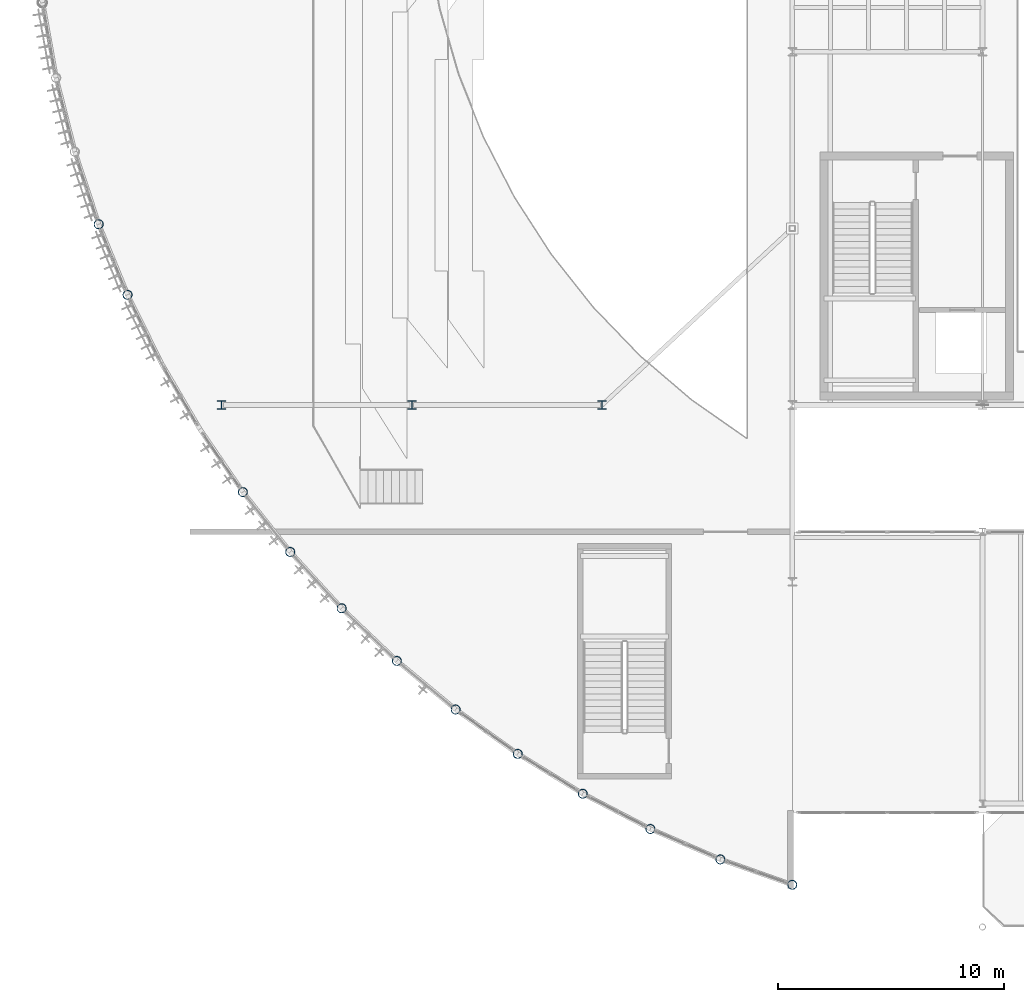
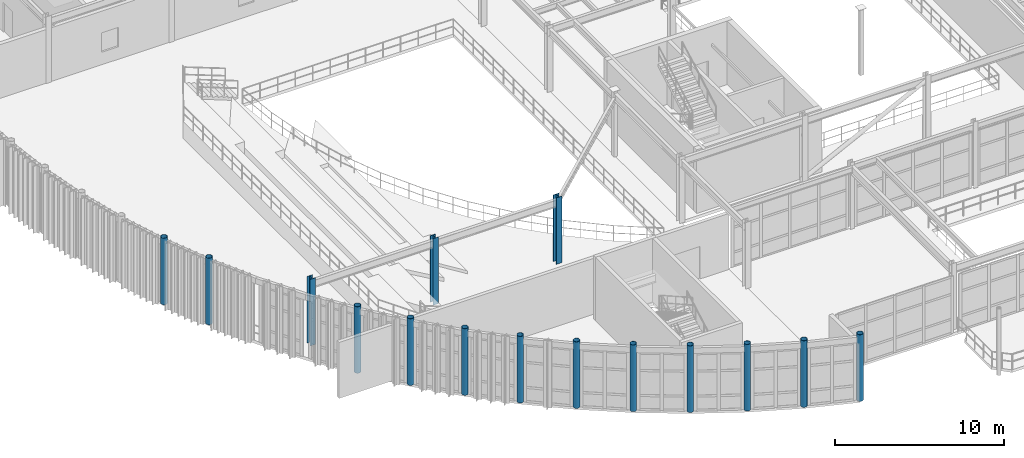
# One storey, part 1 of 116: 15 columns.
"""IFC4 building model written with IfcOpenShell, lengths in metres."""

import ifcopenshell
import ifcopenshell.guid

model = None  # the IFC model being written
_history = None  # IfcOwnerHistory: only IFC2X3 demands one
_inside = {}  # id of a spatial element -> (the spatial element, [elements in it])
_under = {}  # id of a project, library or spatial element -> (it, [spatial elements below it])
_declared = {}  # id of a project -> (the project, [libraries it declares])
_typed = {}  # id of a type object -> (the type object, [elements of that type])
_made_of = {}  # id of a material, layer set ... -> (it, [elements and type objects made of it])


def new_model(schema):
    """Start an empty IFC model of exactly this schema.

    Asked for "IFC4X3", IfcOpenShell would pick the latest addendum, in which some entities
    have other attributes; the version numbers below select the first issue.
    IFC2X3 requires an IfcOwnerHistory on every rooted entity: one is made here for all.
    """
    global model, _history
    if schema == "IFC4X3":
        model = ifcopenshell.file(schema_version=(4, 3, 0, 0))
    else:
        model = ifcopenshell.file(schema=schema)
    _inside.clear()
    _under.clear()
    _declared.clear()
    _typed.clear()
    _made_of.clear()
    _history = None
    if model.schema == "IFC2X3":
        org = make("IfcOrganization", Name="unknown")
        user = make(
            "IfcPersonAndOrganization",
            ThePerson=make("IfcPerson", FamilyName="unknown"),
            TheOrganization=org,
        )
        app = make(
            "IfcApplication",
            ApplicationDeveloper=org,
            Version="unknown",
            ApplicationFullName="unknown",
            ApplicationIdentifier="unknown",
        )
        _history = make(
            "IfcOwnerHistory",
            OwningUser=user,
            OwningApplication=app,
            ChangeAction="ADDED",
            CreationDate=0,
        )
    return model


def make(cls, **values):
    """One entity of the class cls with the attributes given. An attribute that is None is left unset."""
    return model.create_entity(
        cls, **{name: value for name, value in values.items() if value is not None}
    )


def rooted(cls, **values):
    """An entity with a GlobalId (a new one), such as an element, a storey or a relation."""
    return make(cls, GlobalId=ifcopenshell.guid.new(), OwnerHistory=_history, **values)


def si_unit(unit_type, name, prefix=None):
    """IfcSIUnit, for example si_unit("LENGTHUNIT", "METRE", prefix="MILLI")."""
    return make("IfcSIUnit", UnitType=unit_type, Prefix=prefix, Name=name)


def assignment(units):
    """IfcUnitAssignment: the units of a project."""
    return None if units is None else make("IfcUnitAssignment", Units=units)


def point(xyz):
    """IfcCartesianPoint."""
    return None if xyz is None else make("IfcCartesianPoint", Coordinates=xyz)


def direction(xyz):
    """IfcDirection."""
    return None if xyz is None else make("IfcDirection", DirectionRatios=xyz)


def frame(location, z_axis=None, x_axis=None):
    """IfcAxis2Placement3D, a coordinate frame: its origin and axes. An axis left out is left unset."""
    return make(
        "IfcAxis2Placement3D",
        Location=point(location),
        Axis=direction(z_axis),
        RefDirection=direction(x_axis),
    )


def frame_2d(location, x_axis=None):
    """IfcAxis2Placement2D, a coordinate frame in the plane: its origin and x axis."""
    return make(
        "IfcAxis2Placement2D", Location=point(location), RefDirection=direction(x_axis)
    )


def origin():
    """The frame at (0, 0, 0) with its axes left unset."""
    return frame((0.0, 0.0, 0.0))


def origin_2d():
    """The frame at (0, 0) in the plane with its x axis left unset."""
    return frame_2d((0.0, 0.0))


def place(relative_to, where):
    """IfcLocalPlacement: puts the frame where relative to a parent placement (None: the world)."""
    return make(
        "IfcLocalPlacement", PlacementRelTo=relative_to, RelativePlacement=where
    )


def context(
    kind, dimensions, precision=None, world=None, true_north=None, identifier=None
):
    """IfcGeometricRepresentationContext, for example the 3D "Model" context."""
    return make(
        "IfcGeometricRepresentationContext",
        ContextIdentifier=identifier,
        ContextType=kind,
        CoordinateSpaceDimension=dimensions,
        Precision=precision,
        WorldCoordinateSystem=world,
        TrueNorth=true_north,
    )


def subcontext(parent, identifier, kind, view, scale=None):
    """IfcGeometricRepresentationSubContext, for example "Body" below "Model"."""
    return make(
        "IfcGeometricRepresentationSubContext",
        ContextIdentifier=identifier,
        ContextType=kind,
        ParentContext=parent,
        TargetScale=scale,
        TargetView=view,
    )


def project(units=None, contexts=None):
    """IfcProject with its units and contexts."""
    return rooted(
        "IfcProject",
        Name="project",
        RepresentationContexts=contexts,
        UnitsInContext=assignment(units),
    )


def spatial(cls, under=None, at=None, **own):
    """A site, building, storey or space (cls), placed at a placement, below another one or the project."""
    s = rooted(cls, ObjectPlacement=at, **own)
    if under is not None:
        _under.setdefault(under.id(), (under, []))[1].append(s)
    return s


def profile(cls, at=None, kind="AREA", **sizes):
    """A parametric profile (cls). Its sizes go by their IFC names, for example OverallWidth=200.0."""
    return make(cls, ProfileType=kind, Position=at, **sizes)


def hollow_circle(**sizes):
    """IfcCircleHollowProfileDef."""
    return profile("IfcCircleHollowProfileDef", **sizes)


def i_section(**sizes):
    """IfcIShapeProfileDef."""
    return profile("IfcIShapeProfileDef", **sizes)


def extrude(swept, where, along, depth):
    """IfcExtrudedAreaSolid: the profile swept, set in the frame where, extruded along a direction by depth."""
    return make(
        "IfcExtrudedAreaSolid",
        SweptArea=swept,
        Position=where,
        ExtrudedDirection=direction(along),
        Depth=depth,
    )


def shape(context_of_items, identifier, shape_type, items):
    """IfcShapeRepresentation: the items that make up one representation, for example the "Body"."""
    return make(
        "IfcShapeRepresentation",
        ContextOfItems=context_of_items,
        RepresentationIdentifier=identifier,
        RepresentationType=shape_type,
        Items=items,
    )


def material(Name=None, Category=None):
    """IfcMaterial."""
    return make("IfcMaterial", Name=Name, Category=Category)


def material_profile(
    of_material, cross_section, Name=None, Category=None, Priority=None
):
    """IfcMaterialProfile: a cross section and its material."""
    return make(
        "IfcMaterialProfile",
        Name=Name,
        Material=of_material,
        Profile=cross_section,
        Priority=Priority,
        Category=Category,
    )


def profile_set(profiles, Name=None, composite=None):
    """IfcMaterialProfileSet."""
    return make(
        "IfcMaterialProfileSet",
        Name=Name,
        MaterialProfiles=profiles,
        CompositeProfile=composite,
    )


def made_of(thing, what):
    """Note that an element or type object is made of a material, layer set ...; save() writes the relation."""
    if what is not None:
        _made_of.setdefault(what.id(), (what, []))[1].append(thing)
    return thing


def type_object(cls, material=None, **own):
    """A type object (cls), such as IfcWallType, which elements share."""
    return made_of(rooted(cls, **own), material)


def element(
    cls,
    number,
    at=None,
    inside=None,
    cuts=None,
    type_object=None,
    material=None,
    context=None,
    identifier="Body",
    shape_type=None,
    held_by="IfcProductDefinitionShape",
    body=None,
    shapes=None,
    **own,
):
    """One element of the class cls, such as IfcWall. Its Tag is "e" and its number.

    at: its placement. inside: the storey or other place that contains it. cuts: it is an
    opening in that element (IfcRelVoidsElement). A single representation is given by context,
    identifier, shape_type and body (its items); several are given by shapes. held_by: the class
    of the entity that holds the representations. save() writes the other relations.
    """
    e = rooted(cls, Tag="e%d" % number, ObjectPlacement=at, **own)
    if body is not None:
        shapes = [shape(context, identifier, shape_type, body)]
    if shapes is not None:
        e.Representation = make(held_by, Representations=shapes)
    if inside is not None:
        _inside.setdefault(inside.id(), (inside, []))[1].append(e)
    if cuts is not None:
        rooted(
            "IfcRelVoidsElement", RelatingBuildingElement=cuts, RelatedOpeningElement=e
        )
    if type_object is not None:
        _typed.setdefault(type_object.id(), (type_object, []))[1].append(e)
    return made_of(e, material)


def aggregate(whole, parts):
    """IfcRelAggregates: a whole, such as a stair, and the parts it consists of."""
    return rooted("IfcRelAggregates", RelatingObject=whole, RelatedObjects=parts)


def save(model, path):
    """Write the relations noted so far, then the file.

    IfcRelAggregates (storeys below a building ...), IfcRelContainedInSpatialStructure (elements
    in a storey), IfcRelDefinesByType, IfcRelAssociatesMaterial and IfcRelDeclares: one each for
    every whole, place, type object, material and project.
    """
    for whole, parts in _under.values():
        aggregate(whole, parts)
    for where, things in _inside.values():
        rooted(
            "IfcRelContainedInSpatialStructure",
            RelatedElements=things,
            RelatingStructure=where,
        )
    for kind, things in _typed.values():
        rooted("IfcRelDefinesByType", RelatedObjects=things, RelatingType=kind)
    for what, things in _made_of.values():
        rooted("IfcRelAssociatesMaterial", RelatedObjects=things, RelatingMaterial=what)
    for by, libraries in _declared.values():
        rooted("IfcRelDeclares", RelatingContext=by, RelatedDefinitions=libraries)
    model.write(path)


model = new_model("IFC4")

# Units and contexts
model_context = context("Model", 3, precision=1e-05, world=origin(), true_north=direction((0.0, 1.0)))
body_context = subcontext(model_context, "Body", "Model", "MODEL_VIEW")
ifc_project = project(units=[si_unit("LENGTHUNIT", "METRE"), si_unit("AREAUNIT", "SQUARE_METRE"), si_unit("VOLUMEUNIT", "CUBIC_METRE"), si_unit("PLANEANGLEUNIT", "RADIAN"), si_unit("MASSUNIT", "GRAM", prefix="KILO")], contexts=[model_context])

# Site, building, storey
site_placement = place(None, origin())
site = spatial("IfcSite", under=ifc_project, at=site_placement, CompositionType="ELEMENT")
building_placement = place(site_placement, origin())
building = spatial("IfcBuilding", under=site, at=building_placement, Name="Selat Folded Stagehouse", CompositionType="ELEMENT")
storey_placement = place(building_placement, frame((0.0, 0.0, 5.39990234375)))
storey = spatial("IfcBuildingStorey", under=building, at=storey_placement, Name="L01", CompositionType="ELEMENT", Elevation=5.39990234375)

# Columns
ifc_material = material(Name="Steel S355", Category="steel")
ifc_material_profile_1 = material_profile(ifc_material, hollow_circle(Radius=0.203125, WallThickness=0.01611328125, at=origin_2d()), Name="CHS 406.4x16.0")
ifc_profile_set_1 = profile_set([ifc_material_profile_1], Name="Steel S355")
column_type_1 = type_object("IfcColumnType", Name="COL-CHS-406x16", PredefinedType="COLUMN", material=ifc_profile_set_1)
for number, where, z_axis, x_axis, name in (
    (1, (2.967529296875, 31.38427734375, 0.0), (0.0, 0.0, 1.0), (1.0, 0.0, 0.0), "L01 column STK-DRM-07"),
    (2, (4.243896484375, 28.266357421875, 0.0), (0.0, 0.0, 1.0), (1.0, 0.0, 0.0), "L01 column STK-DRM-08"),
    (3, (9.336181640625, 19.55517578125, 0.0), (0.0, 0.0, 1.0), (1.0, 0.0, 0.0), "L01 column STK-DRM-11"),
    (4, (11.4267578125, 16.9130859375, 0.0), (0.0, 0.0, 1.0), (1.0, 0.0, 0.0), "L01 column STK-DRM-12"),
    (5, (13.697509765625, 14.42431640625, 0.0), (0.0, 0.0, 1.0), (1.0, 0.0, 0.0), "L01 column STK-DRM-13"),
    (6, (16.136962890625, 12.100830078125, 0.0), (0.0, 0.0, 1.0), (1.0, 0.0, 0.0), "L01 column STK-DRM-14"),
    (7, (18.733642578125, 9.954345703125, 0.0), (0.0, 0.0, 1.0), (1.0, 0.0, 0.0), "L01 column STK-DRM-15"),
    (8, (21.474365234375, 7.9951171875, 0.0), (0.0, 0.0, 1.0), (1.0, 0.0, 0.0), "L01 column STK-DRM-16"),
    (9, (24.345703125, 6.23291015625, 0.0), (0.0, 0.0, 1.0), (1.0, 0.0, 0.0), "L01 column STK-DRM-17"),
    (10, (27.333740234375, 4.6767578125, 0.0), (0.0, 0.0, 1.0), (1.0, 0.0, 0.0), "L01 column STK-DRM-18"),
    (11, (30.423583984375, 3.333740234375, 0.0), (0.0, 0.0, 1.0), (1.0, 0.0, 0.0), "L01 column STK-DRM-19"),
    (12, (33.60009765625, 2.2109375, 0.0), (0.0, 0.0, 1.0), (1.0, 0.0, 0.0), "L01 column STK-DRM-20"),
):
    element("IfcColumn", number, at=place(storey_placement, frame(where, z_axis=z_axis, x_axis=x_axis)), inside=storey, type_object=column_type_1, Name=name, PredefinedType="COLUMN", context=body_context, shape_type="SweptSolid", body=[
        extrude(hollow_circle(Radius=0.203125, WallThickness=0.01611328125, at=origin_2d()), origin(), (0.0, 0.0, 1.0), 4.800048828125),
    ])
ifc_material_profile_2 = material_profile(ifc_material, i_section(OverallWidth=0.37255859375, OverallDepth=0.3681640625, WebThickness=0.014404296875, FlangeThickness=0.023681640625, FilletRadius=0.01513671875, at=origin_2d()), Name="UKC 356x368x177")
ifc_profile_set_2 = profile_set([ifc_material_profile_2], Name="Steel S355")
column_type_2 = type_object("IfcColumnType", Name="COL-UKC-356x368x177", PredefinedType="COLUMN", material=ifc_profile_set_2)
for number, where, z_axis, x_axis, name in (
    (13, (8.39990234375, 23.39990234375, 0.0), (0.0, 0.0, 1.0), (1.0, 0.0, 0.0), "L01 column STK-V2-00"),
    (14, (16.800048828125, 23.39990234375, 0.0), (0.0, 0.0, 1.0), (1.0, 0.0, 0.0), "L01 column STK-V2-01"),
    (15, (25.199951171875, 23.39990234375, 0.0), (0.0, 0.0, 1.0), (1.0, 0.0, 0.0), "L01 column STK-V2-02"),
):
    element("IfcColumn", number, at=place(storey_placement, frame(where, z_axis=z_axis, x_axis=x_axis)), inside=storey, type_object=column_type_2, Name=name, PredefinedType="COLUMN", context=body_context, shape_type="SweptSolid", body=[
        extrude(i_section(OverallWidth=0.37255859375, OverallDepth=0.3681640625, WebThickness=0.014404296875, FlangeThickness=0.023681640625, FilletRadius=0.01513671875, at=origin_2d()), origin(), (0.0, 0.0, 1.0), 4.800048828125),
    ])

save(model, "model.ifc")
